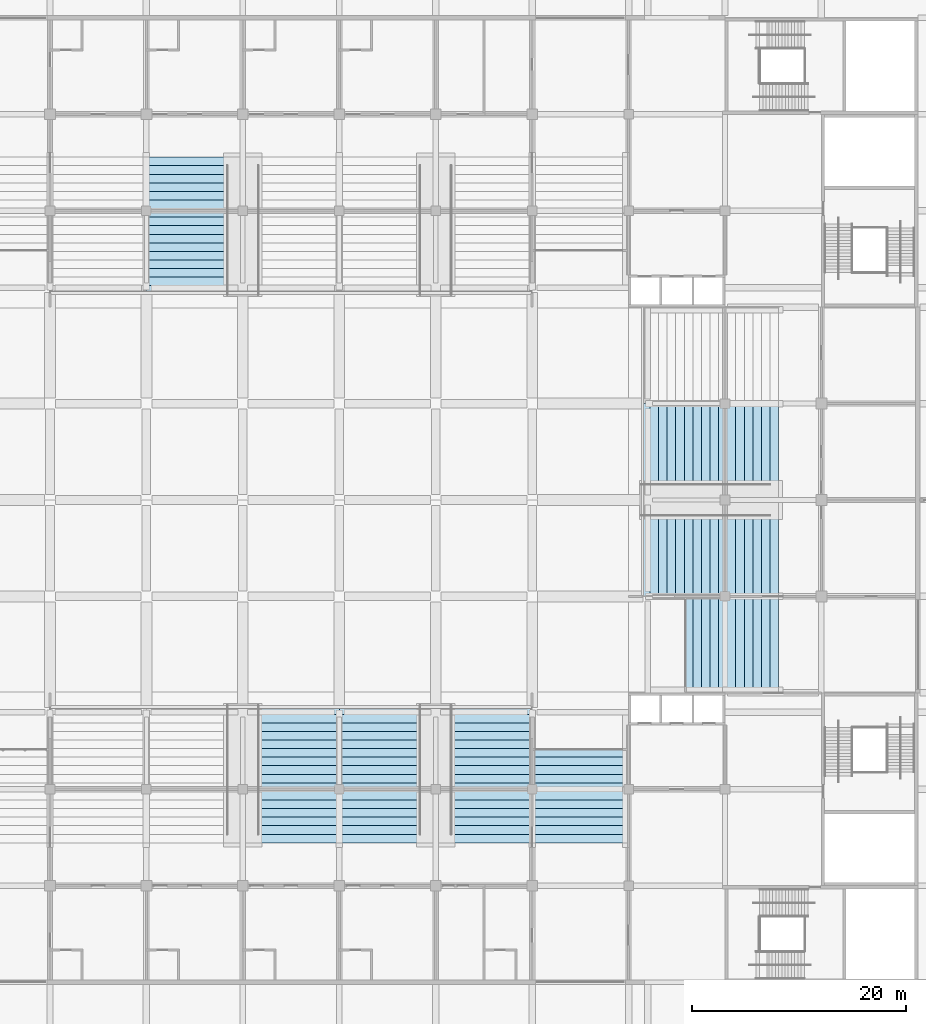
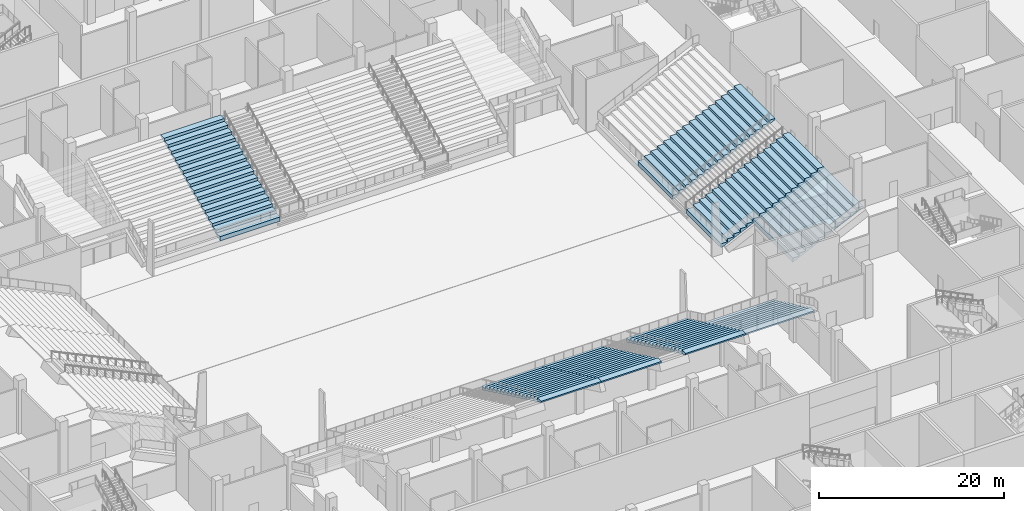
# One storey, part 49 of 92: 8 slabs.
"""IFC4 building model written with IfcOpenShell, lengths in metres."""

from ifc_helpers import new_model, si_unit, direction, origin, place, context, subcontext, project, spatial, faceted_brep, material, layer, layer_set, type_object, element, save


model = new_model("IFC4")

# Units and contexts
model_context = context("Model", 3, precision=1e-05, world=origin(), true_north=direction((0.0, 1.0)))
body_context = subcontext(model_context, "Body", "Model", "MODEL_VIEW")
ifc_project = project(units=[si_unit("LENGTHUNIT", "METRE"), si_unit("AREAUNIT", "SQUARE_METRE"), si_unit("VOLUMEUNIT", "CUBIC_METRE"), si_unit("PLANEANGLEUNIT", "RADIAN"), si_unit("MASSUNIT", "GRAM", prefix="KILO")], contexts=[model_context])

# Site, building, storey
site_placement = place(None, origin())
site = spatial("IfcSite", under=ifc_project, at=site_placement, CompositionType="ELEMENT")
building_placement = place(site_placement, origin())
building = spatial("IfcBuilding", under=site, at=building_placement, Name="Silverbay Arena", CompositionType="ELEMENT")
storey_placement = place(building_placement, origin())
storey = spatial("IfcBuildingStorey", under=building, at=storey_placement, Name="L00", CompositionType="ELEMENT", Elevation=0.0)

# Slabs
ifc_material = material(Name="Concrete Grade C45 precast", Category="concrete")
ifc_layer = layer(ifc_material, 0.56005859375)
ifc_layer_set = layer_set([ifc_layer], Name="Concrete Grade C45 precast")
slab_type = type_object("IfcSlabType", Name="Precast seating tier lower", PredefinedType="USERDEFINED", material=ifc_layer_set)
slab_1_placement = place(storey_placement, origin())
element("IfcSlab", 1, at=slab_1_placement, inside=storey, type_object=slab_type, Name="Stand South lower bay 4", ObjectType="SEATING TIER", PredefinedType="USERDEFINED", context=body_context, shape_type="Brep", body=[
    faceted_brep([(127.5, 61.800048828125, 0.739990234375), (127.5, 49.0, 6.820068359375), (127.5, 49.0, 7.0), (127.5, 49.800048828125, 7.0), (127.5, 49.800048828125, 6.6201171875), (127.5, 50.60009765625, 6.6201171875), (127.5, 50.60009765625, 6.239990234375), (127.5, 51.39990234375, 6.239990234375), (127.5, 51.39990234375, 5.860107421875), (127.5, 52.199951171875, 5.860107421875), (127.5, 52.199951171875, 5.47998046875), (127.5, 53.0, 5.47998046875), (127.5, 53.0, 5.10009765625), (127.5, 53.800048828125, 5.10009765625), (127.5, 53.800048828125, 4.719970703125), (127.5, 54.60009765625, 4.719970703125), (127.5, 54.60009765625, 4.340087890625), (127.5, 55.39990234375, 4.340087890625), (127.5, 55.39990234375, 3.9599609375), (127.5, 56.199951171875, 3.9599609375), (127.5, 56.199951171875, 3.580078125), (127.5, 57.0, 3.580078125), (127.5, 57.0, 3.199951171875), (127.5, 57.800048828125, 3.199951171875), (127.5, 57.800048828125, 2.820068359375), (127.5, 58.60009765625, 2.820068359375), (127.5, 58.60009765625, 2.43994140625), (127.5, 59.39990234375, 2.43994140625), (127.5, 59.39990234375, 2.06005859375), (127.5, 60.199951171875, 2.06005859375), (127.5, 60.199951171875, 1.679931640625), (127.5, 61.0, 1.679931640625), (127.5, 61.0, 1.300048828125), (127.5, 61.800048828125, 1.300048828125), (135.0, 61.800048828125, 1.300048828125), (135.0, 61.0, 1.300048828125), (135.0, 61.0, 1.679931640625), (135.0, 60.199951171875, 1.679931640625), (135.0, 60.199951171875, 2.06005859375), (135.0, 59.39990234375, 2.06005859375), (135.0, 59.39990234375, 2.43994140625), (135.0, 58.60009765625, 2.43994140625), (135.0, 58.60009765625, 2.820068359375), (135.0, 57.800048828125, 2.820068359375), (135.0, 57.800048828125, 3.199951171875), (135.0, 57.0, 3.199951171875), (135.0, 57.0, 3.580078125), (135.0, 56.199951171875, 3.580078125), (135.0, 56.199951171875, 3.9599609375), (135.0, 55.39990234375, 3.9599609375), (135.0, 55.39990234375, 4.340087890625), (135.0, 54.60009765625, 4.340087890625), (135.0, 54.60009765625, 4.719970703125), (135.0, 53.800048828125, 4.719970703125), (135.0, 53.800048828125, 5.10009765625), (135.0, 53.0, 5.10009765625), (135.0, 53.0, 5.47998046875), (135.0, 52.199951171875, 5.47998046875), (135.0, 52.199951171875, 5.860107421875), (135.0, 51.39990234375, 5.860107421875), (135.0, 51.39990234375, 6.239990234375), (135.0, 50.60009765625, 6.239990234375), (135.0, 50.60009765625, 6.6201171875), (135.0, 49.800048828125, 6.6201171875), (135.0, 49.800048828125, 7.0), (135.0, 49.0, 7.0), (135.0, 49.0, 6.820068359375), (135.0, 61.800048828125, 0.739990234375)], [[[0, 1, 2, 3, 4, 5, 6, 7, 8, 9, 10, 11, 12, 13, 14, 15, 16, 17, 18, 19, 20, 21, 22, 23, 24, 25, 26, 27, 28, 29, 30, 31, 32, 33]], [[34, 35, 36, 37, 38, 39, 40, 41, 42, 43, 44, 45, 46, 47, 48, 49, 50, 51, 52, 53, 54, 55, 56, 57, 58, 59, 60, 61, 62, 63, 64, 65, 66, 67]], [[33, 32, 35, 34]], [[32, 31, 36, 35]], [[31, 30, 37, 36]], [[30, 29, 38, 37]], [[29, 28, 39, 38]], [[28, 27, 40, 39]], [[27, 26, 41, 40]], [[26, 25, 42, 41]], [[25, 24, 43, 42]], [[24, 23, 44, 43]], [[23, 22, 45, 44]], [[22, 21, 46, 45]], [[21, 20, 47, 46]], [[20, 19, 48, 47]], [[19, 18, 49, 48]], [[18, 17, 50, 49]], [[17, 16, 51, 50]], [[16, 15, 52, 51]], [[15, 14, 53, 52]], [[14, 13, 54, 53]], [[13, 12, 55, 54]], [[12, 11, 56, 55]], [[11, 10, 57, 56]], [[10, 9, 58, 57]], [[9, 8, 59, 58]], [[8, 7, 60, 59]], [[7, 6, 61, 60]], [[6, 5, 62, 61]], [[5, 4, 63, 62]], [[4, 3, 64, 63]], [[3, 2, 65, 64]], [[2, 1, 66, 65]], [[1, 0, 67, 66]], [[0, 33, 34, 67]]]),
])
slab_2_placement = place(storey_placement, origin())
element("IfcSlab", 2, at=slab_2_placement, inside=storey, type_object=slab_type, Name="Stand South lower bay 5", ObjectType="SEATING TIER", PredefinedType="USERDEFINED", context=body_context, shape_type="Brep", body=[
    faceted_brep([(135.0, 61.800048828125, 0.739990234375), (135.0, 49.0, 6.820068359375), (135.0, 49.0, 7.0), (135.0, 49.800048828125, 7.0), (135.0, 49.800048828125, 6.6201171875), (135.0, 50.60009765625, 6.6201171875), (135.0, 50.60009765625, 6.239990234375), (135.0, 51.39990234375, 6.239990234375), (135.0, 51.39990234375, 5.860107421875), (135.0, 52.199951171875, 5.860107421875), (135.0, 52.199951171875, 5.47998046875), (135.0, 53.0, 5.47998046875), (135.0, 53.0, 5.10009765625), (135.0, 53.800048828125, 5.10009765625), (135.0, 53.800048828125, 4.719970703125), (135.0, 54.60009765625, 4.719970703125), (135.0, 54.60009765625, 4.340087890625), (135.0, 55.39990234375, 4.340087890625), (135.0, 55.39990234375, 3.9599609375), (135.0, 56.199951171875, 3.9599609375), (135.0, 56.199951171875, 3.580078125), (135.0, 57.0, 3.580078125), (135.0, 57.0, 3.199951171875), (135.0, 57.800048828125, 3.199951171875), (135.0, 57.800048828125, 2.820068359375), (135.0, 58.60009765625, 2.820068359375), (135.0, 58.60009765625, 2.43994140625), (135.0, 59.39990234375, 2.43994140625), (135.0, 59.39990234375, 2.06005859375), (135.0, 60.199951171875, 2.06005859375), (135.0, 60.199951171875, 1.679931640625), (135.0, 61.0, 1.679931640625), (135.0, 61.0, 1.300048828125), (135.0, 61.800048828125, 1.300048828125), (142.5, 61.800048828125, 1.300048828125), (142.5, 61.0, 1.300048828125), (142.5, 61.0, 1.679931640625), (142.5, 60.199951171875, 1.679931640625), (142.5, 60.199951171875, 2.06005859375), (142.5, 59.39990234375, 2.06005859375), (142.5, 59.39990234375, 2.43994140625), (142.5, 58.60009765625, 2.43994140625), (142.5, 58.60009765625, 2.820068359375), (142.5, 57.800048828125, 2.820068359375), (142.5, 57.800048828125, 3.199951171875), (142.5, 57.0, 3.199951171875), (142.5, 57.0, 3.580078125), (142.5, 56.199951171875, 3.580078125), (142.5, 56.199951171875, 3.9599609375), (142.5, 55.39990234375, 3.9599609375), (142.5, 55.39990234375, 4.340087890625), (142.5, 54.60009765625, 4.340087890625), (142.5, 54.60009765625, 4.719970703125), (142.5, 53.800048828125, 4.719970703125), (142.5, 53.800048828125, 5.10009765625), (142.5, 53.0, 5.10009765625), (142.5, 53.0, 5.47998046875), (142.5, 52.199951171875, 5.47998046875), (142.5, 52.199951171875, 5.860107421875), (142.5, 51.39990234375, 5.860107421875), (142.5, 51.39990234375, 6.239990234375), (142.5, 50.60009765625, 6.239990234375), (142.5, 50.60009765625, 6.6201171875), (142.5, 49.800048828125, 6.6201171875), (142.5, 49.800048828125, 7.0), (142.5, 49.0, 7.0), (142.5, 49.0, 6.820068359375), (142.5, 61.800048828125, 0.739990234375)], [[[0, 1, 2, 3, 4, 5, 6, 7, 8, 9, 10, 11, 12, 13, 14, 15, 16, 17, 18, 19, 20, 21, 22, 23, 24, 25, 26, 27, 28, 29, 30, 31, 32, 33]], [[34, 35, 36, 37, 38, 39, 40, 41, 42, 43, 44, 45, 46, 47, 48, 49, 50, 51, 52, 53, 54, 55, 56, 57, 58, 59, 60, 61, 62, 63, 64, 65, 66, 67]], [[33, 32, 35, 34]], [[32, 31, 36, 35]], [[31, 30, 37, 36]], [[30, 29, 38, 37]], [[29, 28, 39, 38]], [[28, 27, 40, 39]], [[27, 26, 41, 40]], [[26, 25, 42, 41]], [[25, 24, 43, 42]], [[24, 23, 44, 43]], [[23, 22, 45, 44]], [[22, 21, 46, 45]], [[21, 20, 47, 46]], [[20, 19, 48, 47]], [[19, 18, 49, 48]], [[18, 17, 50, 49]], [[17, 16, 51, 50]], [[16, 15, 52, 51]], [[15, 14, 53, 52]], [[14, 13, 54, 53]], [[13, 12, 55, 54]], [[12, 11, 56, 55]], [[11, 10, 57, 56]], [[10, 9, 58, 57]], [[9, 8, 59, 58]], [[8, 7, 60, 59]], [[7, 6, 61, 60]], [[6, 5, 62, 61]], [[5, 4, 63, 62]], [[4, 3, 64, 63]], [[3, 2, 65, 64]], [[2, 1, 66, 65]], [[1, 0, 67, 66]], [[0, 33, 34, 67]]]),
])
slab_3_placement = place(storey_placement, origin())
element("IfcSlab", 3, at=slab_3_placement, inside=storey, type_object=slab_type, Name="Stand South lower bay 6", ObjectType="SEATING TIER", PredefinedType="USERDEFINED", context=body_context, shape_type="Brep", body=[
    faceted_brep([(145.5, 61.800048828125, 0.739990234375), (145.5, 49.0, 6.820068359375), (145.5, 49.0, 7.0), (145.5, 49.800048828125, 7.0), (145.5, 49.800048828125, 6.6201171875), (145.5, 50.60009765625, 6.6201171875), (145.5, 50.60009765625, 6.239990234375), (145.5, 51.39990234375, 6.239990234375), (145.5, 51.39990234375, 5.860107421875), (145.5, 52.199951171875, 5.860107421875), (145.5, 52.199951171875, 5.47998046875), (145.5, 53.0, 5.47998046875), (145.5, 53.0, 5.10009765625), (145.5, 53.800048828125, 5.10009765625), (145.5, 53.800048828125, 4.719970703125), (145.5, 54.60009765625, 4.719970703125), (145.5, 54.60009765625, 4.340087890625), (145.5, 55.39990234375, 4.340087890625), (145.5, 55.39990234375, 3.9599609375), (145.5, 56.199951171875, 3.9599609375), (145.5, 56.199951171875, 3.580078125), (145.5, 57.0, 3.580078125), (145.5, 57.0, 3.199951171875), (145.5, 57.800048828125, 3.199951171875), (145.5, 57.800048828125, 2.820068359375), (145.5, 58.60009765625, 2.820068359375), (145.5, 58.60009765625, 2.43994140625), (145.5, 59.39990234375, 2.43994140625), (145.5, 59.39990234375, 2.06005859375), (145.5, 60.199951171875, 2.06005859375), (145.5, 60.199951171875, 1.679931640625), (145.5, 61.0, 1.679931640625), (145.5, 61.0, 1.300048828125), (145.5, 61.800048828125, 1.300048828125), (153.0, 61.800048828125, 1.300048828125), (153.0, 61.0, 1.300048828125), (153.0, 61.0, 1.679931640625), (153.0, 60.199951171875, 1.679931640625), (153.0, 60.199951171875, 2.06005859375), (153.0, 59.39990234375, 2.06005859375), (153.0, 59.39990234375, 2.43994140625), (153.0, 58.60009765625, 2.43994140625), (153.0, 58.60009765625, 2.820068359375), (153.0, 57.800048828125, 2.820068359375), (153.0, 57.800048828125, 3.199951171875), (153.0, 57.0, 3.199951171875), (153.0, 57.0, 3.580078125), (153.0, 56.199951171875, 3.580078125), (153.0, 56.199951171875, 3.9599609375), (153.0, 55.39990234375, 3.9599609375), (153.0, 55.39990234375, 4.340087890625), (153.0, 54.60009765625, 4.340087890625), (153.0, 54.60009765625, 4.719970703125), (153.0, 53.800048828125, 4.719970703125), (153.0, 53.800048828125, 5.10009765625), (153.0, 53.0, 5.10009765625), (153.0, 53.0, 5.47998046875), (153.0, 52.199951171875, 5.47998046875), (153.0, 52.199951171875, 5.860107421875), (153.0, 51.39990234375, 5.860107421875), (153.0, 51.39990234375, 6.239990234375), (153.0, 50.60009765625, 6.239990234375), (153.0, 50.60009765625, 6.6201171875), (153.0, 49.800048828125, 6.6201171875), (153.0, 49.800048828125, 7.0), (153.0, 49.0, 7.0), (153.0, 49.0, 6.820068359375), (153.0, 61.800048828125, 0.739990234375)], [[[0, 1, 2, 3, 4, 5, 6, 7, 8, 9, 10, 11, 12, 13, 14, 15, 16, 17, 18, 19, 20, 21, 22, 23, 24, 25, 26, 27, 28, 29, 30, 31, 32, 33]], [[34, 35, 36, 37, 38, 39, 40, 41, 42, 43, 44, 45, 46, 47, 48, 49, 50, 51, 52, 53, 54, 55, 56, 57, 58, 59, 60, 61, 62, 63, 64, 65, 66, 67]], [[33, 32, 35, 34]], [[32, 31, 36, 35]], [[31, 30, 37, 36]], [[30, 29, 38, 37]], [[29, 28, 39, 38]], [[28, 27, 40, 39]], [[27, 26, 41, 40]], [[26, 25, 42, 41]], [[25, 24, 43, 42]], [[24, 23, 44, 43]], [[23, 22, 45, 44]], [[22, 21, 46, 45]], [[21, 20, 47, 46]], [[20, 19, 48, 47]], [[19, 18, 49, 48]], [[18, 17, 50, 49]], [[17, 16, 51, 50]], [[16, 15, 52, 51]], [[15, 14, 53, 52]], [[14, 13, 54, 53]], [[13, 12, 55, 54]], [[12, 11, 56, 55]], [[11, 10, 57, 56]], [[10, 9, 58, 57]], [[9, 8, 59, 58]], [[8, 7, 60, 59]], [[7, 6, 61, 60]], [[6, 5, 62, 61]], [[5, 4, 63, 62]], [[4, 3, 64, 63]], [[3, 2, 65, 64]], [[2, 1, 66, 65]], [[1, 0, 67, 66]], [[0, 33, 34, 67]]]),
])
slab_4_placement = place(storey_placement, origin())
element("IfcSlab", 4, at=slab_4_placement, inside=storey, type_object=slab_type, Name="Stand South lower bay 7", ObjectType="SEATING TIER", PredefinedType="USERDEFINED", context=body_context, shape_type="Brep", body=[
    faceted_brep([(153.0, 57.800048828125, 2.639892578125), (153.0, 49.0, 6.820068359375), (153.0, 49.0, 7.0), (153.0, 49.800048828125, 7.0), (153.0, 49.800048828125, 6.6201171875), (153.0, 50.60009765625, 6.6201171875), (153.0, 50.60009765625, 6.239990234375), (153.0, 51.39990234375, 6.239990234375), (153.0, 51.39990234375, 5.860107421875), (153.0, 52.199951171875, 5.860107421875), (153.0, 52.199951171875, 5.47998046875), (153.0, 53.0, 5.47998046875), (153.0, 53.0, 5.10009765625), (153.0, 53.800048828125, 5.10009765625), (153.0, 53.800048828125, 4.719970703125), (153.0, 54.60009765625, 4.719970703125), (153.0, 54.60009765625, 4.340087890625), (153.0, 55.39990234375, 4.340087890625), (153.0, 55.39990234375, 3.9599609375), (153.0, 56.199951171875, 3.9599609375), (153.0, 56.199951171875, 3.580078125), (153.0, 57.0, 3.580078125), (153.0, 57.0, 3.199951171875), (153.0, 57.800048828125, 3.199951171875), (161.550048828125, 57.800048828125, 3.199951171875), (161.550048828125, 57.0, 3.199951171875), (161.550048828125, 57.0, 3.580078125), (161.550048828125, 56.199951171875, 3.580078125), (161.550048828125, 56.199951171875, 3.9599609375), (161.550048828125, 55.39990234375, 3.9599609375), (161.550048828125, 55.39990234375, 4.340087890625), (161.550048828125, 54.60009765625, 4.340087890625), (161.550048828125, 54.60009765625, 4.719970703125), (161.550048828125, 53.800048828125, 4.719970703125), (161.550048828125, 53.800048828125, 5.10009765625), (161.550048828125, 53.0, 5.10009765625), (161.550048828125, 53.0, 5.47998046875), (161.550048828125, 52.199951171875, 5.47998046875), (161.550048828125, 52.199951171875, 5.860107421875), (161.550048828125, 51.39990234375, 5.860107421875), (161.550048828125, 51.39990234375, 6.239990234375), (161.550048828125, 50.60009765625, 6.239990234375), (161.550048828125, 50.60009765625, 6.6201171875), (161.550048828125, 49.800048828125, 6.6201171875), (161.550048828125, 49.800048828125, 7.0), (161.550048828125, 49.0, 7.0), (161.550048828125, 49.0, 6.820068359375), (161.550048828125, 57.800048828125, 2.639892578125)], [[[0, 1, 2, 3, 4, 5, 6, 7, 8, 9, 10, 11, 12, 13, 14, 15, 16, 17, 18, 19, 20, 21, 22, 23]], [[24, 25, 26, 27, 28, 29, 30, 31, 32, 33, 34, 35, 36, 37, 38, 39, 40, 41, 42, 43, 44, 45, 46, 47]], [[23, 22, 25, 24]], [[22, 21, 26, 25]], [[21, 20, 27, 26]], [[20, 19, 28, 27]], [[19, 18, 29, 28]], [[18, 17, 30, 29]], [[17, 16, 31, 30]], [[16, 15, 32, 31]], [[15, 14, 33, 32]], [[14, 13, 34, 33]], [[13, 12, 35, 34]], [[12, 11, 36, 35]], [[11, 10, 37, 36]], [[10, 9, 38, 37]], [[9, 8, 39, 38]], [[8, 7, 40, 39]], [[7, 6, 41, 40]], [[6, 5, 42, 41]], [[5, 4, 43, 42]], [[4, 3, 44, 43]], [[3, 2, 45, 44]], [[2, 1, 46, 45]], [[1, 0, 47, 46]], [[0, 23, 24, 47]]]),
])
slab_5_placement = place(storey_placement, origin())
element("IfcSlab", 5, at=slab_5_placement, inside=storey, type_object=slab_type, Name="Stand North lower bay 3", ObjectType="SEATING TIER", PredefinedType="USERDEFINED", context=body_context, shape_type="Brep", body=[
    faceted_brep([(117.0, 100.199951171875, 1.300048828125), (117.0, 101.0, 1.300048828125), (117.0, 101.0, 1.679931640625), (117.0, 101.800048828125, 1.679931640625), (117.0, 101.800048828125, 2.06005859375), (117.0, 102.60009765625, 2.06005859375), (117.0, 102.60009765625, 2.43994140625), (117.0, 103.39990234375, 2.43994140625), (117.0, 103.39990234375, 2.820068359375), (117.0, 104.199951171875, 2.820068359375), (117.0, 104.199951171875, 3.199951171875), (117.0, 105.0, 3.199951171875), (117.0, 105.0, 3.580078125), (117.0, 105.800048828125, 3.580078125), (117.0, 105.800048828125, 3.9599609375), (117.0, 106.60009765625, 3.9599609375), (117.0, 106.60009765625, 4.340087890625), (117.0, 107.39990234375, 4.340087890625), (117.0, 107.39990234375, 4.719970703125), (117.0, 108.199951171875, 4.719970703125), (117.0, 108.199951171875, 5.10009765625), (117.0, 109.0, 5.10009765625), (117.0, 109.0, 5.47998046875), (117.0, 109.800048828125, 5.47998046875), (117.0, 109.800048828125, 5.860107421875), (117.0, 110.60009765625, 5.860107421875), (117.0, 110.60009765625, 6.239990234375), (117.0, 111.39990234375, 6.239990234375), (117.0, 111.39990234375, 6.6201171875), (117.0, 112.199951171875, 6.6201171875), (117.0, 112.199951171875, 7.0), (117.0, 113.0, 7.0), (117.0, 113.0, 6.820068359375), (117.0, 100.199951171875, 0.739990234375), (124.5, 100.199951171875, 0.739990234375), (124.5, 113.0, 6.820068359375), (124.5, 113.0, 7.0), (124.5, 112.199951171875, 7.0), (124.5, 112.199951171875, 6.6201171875), (124.5, 111.39990234375, 6.6201171875), (124.5, 111.39990234375, 6.239990234375), (124.5, 110.60009765625, 6.239990234375), (124.5, 110.60009765625, 5.860107421875), (124.5, 109.800048828125, 5.860107421875), (124.5, 109.800048828125, 5.47998046875), (124.5, 109.0, 5.47998046875), (124.5, 109.0, 5.10009765625), (124.5, 108.199951171875, 5.10009765625), (124.5, 108.199951171875, 4.719970703125), (124.5, 107.39990234375, 4.719970703125), (124.5, 107.39990234375, 4.340087890625), (124.5, 106.60009765625, 4.340087890625), (124.5, 106.60009765625, 3.9599609375), (124.5, 105.800048828125, 3.9599609375), (124.5, 105.800048828125, 3.580078125), (124.5, 105.0, 3.580078125), (124.5, 105.0, 3.199951171875), (124.5, 104.199951171875, 3.199951171875), (124.5, 104.199951171875, 2.820068359375), (124.5, 103.39990234375, 2.820068359375), (124.5, 103.39990234375, 2.43994140625), (124.5, 102.60009765625, 2.43994140625), (124.5, 102.60009765625, 2.06005859375), (124.5, 101.800048828125, 2.06005859375), (124.5, 101.800048828125, 1.679931640625), (124.5, 101.0, 1.679931640625), (124.5, 101.0, 1.300048828125), (124.5, 100.199951171875, 1.300048828125)], [[[0, 1, 2, 3, 4, 5, 6, 7, 8, 9, 10, 11, 12, 13, 14, 15, 16, 17, 18, 19, 20, 21, 22, 23, 24, 25, 26, 27, 28, 29, 30, 31, 32, 33]], [[34, 35, 36, 37, 38, 39, 40, 41, 42, 43, 44, 45, 46, 47, 48, 49, 50, 51, 52, 53, 54, 55, 56, 57, 58, 59, 60, 61, 62, 63, 64, 65, 66, 67]], [[67, 66, 1, 0]], [[66, 65, 2, 1]], [[65, 64, 3, 2]], [[64, 63, 4, 3]], [[63, 62, 5, 4]], [[62, 61, 6, 5]], [[61, 60, 7, 6]], [[60, 59, 8, 7]], [[59, 58, 9, 8]], [[58, 57, 10, 9]], [[57, 56, 11, 10]], [[56, 55, 12, 11]], [[55, 54, 13, 12]], [[54, 53, 14, 13]], [[53, 52, 15, 14]], [[52, 51, 16, 15]], [[51, 50, 17, 16]], [[50, 49, 18, 17]], [[49, 48, 19, 18]], [[48, 47, 20, 19]], [[47, 46, 21, 20]], [[46, 45, 22, 21]], [[45, 44, 23, 22]], [[44, 43, 24, 23]], [[43, 42, 25, 24]], [[42, 41, 26, 25]], [[41, 40, 27, 26]], [[40, 39, 28, 27]], [[39, 38, 29, 28]], [[38, 37, 30, 29]], [[37, 36, 31, 30]], [[36, 35, 32, 31]], [[35, 34, 33, 32]], [[34, 67, 0, 33]]]),
])
slab_6_placement = place(storey_placement, origin())
element("IfcSlab", 6, at=slab_6_placement, inside=storey, type_object=slab_type, Name="Stand East lower bay 1", ObjectType="SEATING TIER", PredefinedType="USERDEFINED", context=body_context, shape_type="Brep", body=[
    faceted_brep([(167.199951171875, 63.449951171875, 2.639892578125), (176.0, 63.449951171875, 6.820068359375), (176.0, 63.449951171875, 7.0), (175.199951171875, 63.449951171875, 7.0), (175.199951171875, 63.449951171875, 6.6201171875), (174.39990234375, 63.449951171875, 6.6201171875), (174.39990234375, 63.449951171875, 6.239990234375), (173.60009765625, 63.449951171875, 6.239990234375), (173.60009765625, 63.449951171875, 5.860107421875), (172.800048828125, 63.449951171875, 5.860107421875), (172.800048828125, 63.449951171875, 5.47998046875), (172.0, 63.449951171875, 5.47998046875), (172.0, 63.449951171875, 5.10009765625), (171.199951171875, 63.449951171875, 5.10009765625), (171.199951171875, 63.449951171875, 4.719970703125), (170.39990234375, 63.449951171875, 4.719970703125), (170.39990234375, 63.449951171875, 4.340087890625), (169.60009765625, 63.449951171875, 4.340087890625), (169.60009765625, 63.449951171875, 3.9599609375), (168.800048828125, 63.449951171875, 3.9599609375), (168.800048828125, 63.449951171875, 3.580078125), (168.0, 63.449951171875, 3.580078125), (168.0, 63.449951171875, 3.199951171875), (167.199951171875, 63.449951171875, 3.199951171875), (167.199951171875, 72.0, 3.199951171875), (168.0, 72.0, 3.199951171875), (168.0, 72.0, 3.580078125), (168.800048828125, 72.0, 3.580078125), (168.800048828125, 72.0, 3.9599609375), (169.60009765625, 72.0, 3.9599609375), (169.60009765625, 72.0, 4.340087890625), (170.39990234375, 72.0, 4.340087890625), (170.39990234375, 72.0, 4.719970703125), (171.199951171875, 72.0, 4.719970703125), (171.199951171875, 72.0, 5.10009765625), (172.0, 72.0, 5.10009765625), (172.0, 72.0, 5.47998046875), (172.800048828125, 72.0, 5.47998046875), (172.800048828125, 72.0, 5.860107421875), (173.60009765625, 72.0, 5.860107421875), (173.60009765625, 72.0, 6.239990234375), (174.39990234375, 72.0, 6.239990234375), (174.39990234375, 72.0, 6.6201171875), (175.199951171875, 72.0, 6.6201171875), (175.199951171875, 72.0, 7.0), (176.0, 72.0, 7.0), (176.0, 72.0, 6.820068359375), (167.199951171875, 72.0, 2.639892578125)], [[[0, 1, 2, 3, 4, 5, 6, 7, 8, 9, 10, 11, 12, 13, 14, 15, 16, 17, 18, 19, 20, 21, 22, 23]], [[24, 25, 26, 27, 28, 29, 30, 31, 32, 33, 34, 35, 36, 37, 38, 39, 40, 41, 42, 43, 44, 45, 46, 47]], [[23, 22, 25, 24]], [[22, 21, 26, 25]], [[21, 20, 27, 26]], [[20, 19, 28, 27]], [[19, 18, 29, 28]], [[18, 17, 30, 29]], [[17, 16, 31, 30]], [[16, 15, 32, 31]], [[15, 14, 33, 32]], [[14, 13, 34, 33]], [[13, 12, 35, 34]], [[12, 11, 36, 35]], [[11, 10, 37, 36]], [[10, 9, 38, 37]], [[9, 8, 39, 38]], [[8, 7, 40, 39]], [[7, 6, 41, 40]], [[6, 5, 42, 41]], [[5, 4, 43, 42]], [[4, 3, 44, 43]], [[3, 2, 45, 44]], [[2, 1, 46, 45]], [[1, 0, 47, 46]], [[0, 23, 24, 47]]]),
])
slab_7_placement = place(storey_placement, origin())
element("IfcSlab", 7, at=slab_7_placement, inside=storey, type_object=slab_type, Name="Stand East lower bay 2", ObjectType="SEATING TIER", PredefinedType="USERDEFINED", context=body_context, shape_type="Brep", body=[
    faceted_brep([(163.199951171875, 72.0, 0.739990234375), (176.0, 72.0, 6.820068359375), (176.0, 72.0, 7.0), (175.199951171875, 72.0, 7.0), (175.199951171875, 72.0, 6.6201171875), (174.39990234375, 72.0, 6.6201171875), (174.39990234375, 72.0, 6.239990234375), (173.60009765625, 72.0, 6.239990234375), (173.60009765625, 72.0, 5.860107421875), (172.800048828125, 72.0, 5.860107421875), (172.800048828125, 72.0, 5.47998046875), (172.0, 72.0, 5.47998046875), (172.0, 72.0, 5.10009765625), (171.199951171875, 72.0, 5.10009765625), (171.199951171875, 72.0, 4.719970703125), (170.39990234375, 72.0, 4.719970703125), (170.39990234375, 72.0, 4.340087890625), (169.60009765625, 72.0, 4.340087890625), (169.60009765625, 72.0, 3.9599609375), (168.800048828125, 72.0, 3.9599609375), (168.800048828125, 72.0, 3.580078125), (168.0, 72.0, 3.580078125), (168.0, 72.0, 3.199951171875), (167.199951171875, 72.0, 3.199951171875), (167.199951171875, 72.0, 2.820068359375), (166.39990234375, 72.0, 2.820068359375), (166.39990234375, 72.0, 2.43994140625), (165.60009765625, 72.0, 2.43994140625), (165.60009765625, 72.0, 2.06005859375), (164.800048828125, 72.0, 2.06005859375), (164.800048828125, 72.0, 1.679931640625), (164.0, 72.0, 1.679931640625), (164.0, 72.0, 1.300048828125), (163.199951171875, 72.0, 1.300048828125), (163.199951171875, 79.5, 1.300048828125), (164.0, 79.5, 1.300048828125), (164.0, 79.5, 1.679931640625), (164.800048828125, 79.5, 1.679931640625), (164.800048828125, 79.5, 2.06005859375), (165.60009765625, 79.5, 2.06005859375), (165.60009765625, 79.5, 2.43994140625), (166.39990234375, 79.5, 2.43994140625), (166.39990234375, 79.5, 2.820068359375), (167.199951171875, 79.5, 2.820068359375), (167.199951171875, 79.5, 3.199951171875), (168.0, 79.5, 3.199951171875), (168.0, 79.5, 3.580078125), (168.800048828125, 79.5, 3.580078125), (168.800048828125, 79.5, 3.9599609375), (169.60009765625, 79.5, 3.9599609375), (169.60009765625, 79.5, 4.340087890625), (170.39990234375, 79.5, 4.340087890625), (170.39990234375, 79.5, 4.719970703125), (171.199951171875, 79.5, 4.719970703125), (171.199951171875, 79.5, 5.10009765625), (172.0, 79.5, 5.10009765625), (172.0, 79.5, 5.47998046875), (172.800048828125, 79.5, 5.47998046875), (172.800048828125, 79.5, 5.860107421875), (173.60009765625, 79.5, 5.860107421875), (173.60009765625, 79.5, 6.239990234375), (174.39990234375, 79.5, 6.239990234375), (174.39990234375, 79.5, 6.6201171875), (175.199951171875, 79.5, 6.6201171875), (175.199951171875, 79.5, 7.0), (176.0, 79.5, 7.0), (176.0, 79.5, 6.820068359375), (163.199951171875, 79.5, 0.739990234375)], [[[0, 1, 2, 3, 4, 5, 6, 7, 8, 9, 10, 11, 12, 13, 14, 15, 16, 17, 18, 19, 20, 21, 22, 23, 24, 25, 26, 27, 28, 29, 30, 31, 32, 33]], [[34, 35, 36, 37, 38, 39, 40, 41, 42, 43, 44, 45, 46, 47, 48, 49, 50, 51, 52, 53, 54, 55, 56, 57, 58, 59, 60, 61, 62, 63, 64, 65, 66, 67]], [[33, 32, 35, 34]], [[32, 31, 36, 35]], [[31, 30, 37, 36]], [[30, 29, 38, 37]], [[29, 28, 39, 38]], [[28, 27, 40, 39]], [[27, 26, 41, 40]], [[26, 25, 42, 41]], [[25, 24, 43, 42]], [[24, 23, 44, 43]], [[23, 22, 45, 44]], [[22, 21, 46, 45]], [[21, 20, 47, 46]], [[20, 19, 48, 47]], [[19, 18, 49, 48]], [[18, 17, 50, 49]], [[17, 16, 51, 50]], [[16, 15, 52, 51]], [[15, 14, 53, 52]], [[14, 13, 54, 53]], [[13, 12, 55, 54]], [[12, 11, 56, 55]], [[11, 10, 57, 56]], [[10, 9, 58, 57]], [[9, 8, 59, 58]], [[8, 7, 60, 59]], [[7, 6, 61, 60]], [[6, 5, 62, 61]], [[5, 4, 63, 62]], [[4, 3, 64, 63]], [[3, 2, 65, 64]], [[2, 1, 66, 65]], [[1, 0, 67, 66]], [[0, 33, 34, 67]]]),
])
slab_8_placement = place(storey_placement, origin())
element("IfcSlab", 8, at=slab_8_placement, inside=storey, type_object=slab_type, Name="Stand East lower bay 3", ObjectType="SEATING TIER", PredefinedType="USERDEFINED", context=body_context, shape_type="Brep", body=[
    faceted_brep([(163.199951171875, 82.5, 0.739990234375), (176.0, 82.5, 6.820068359375), (176.0, 82.5, 7.0), (175.199951171875, 82.5, 7.0), (175.199951171875, 82.5, 6.6201171875), (174.39990234375, 82.5, 6.6201171875), (174.39990234375, 82.5, 6.239990234375), (173.60009765625, 82.5, 6.239990234375), (173.60009765625, 82.5, 5.860107421875), (172.800048828125, 82.5, 5.860107421875), (172.800048828125, 82.5, 5.47998046875), (172.0, 82.5, 5.47998046875), (172.0, 82.5, 5.10009765625), (171.199951171875, 82.5, 5.10009765625), (171.199951171875, 82.5, 4.719970703125), (170.39990234375, 82.5, 4.719970703125), (170.39990234375, 82.5, 4.340087890625), (169.60009765625, 82.5, 4.340087890625), (169.60009765625, 82.5, 3.9599609375), (168.800048828125, 82.5, 3.9599609375), (168.800048828125, 82.5, 3.580078125), (168.0, 82.5, 3.580078125), (168.0, 82.5, 3.199951171875), (167.199951171875, 82.5, 3.199951171875), (167.199951171875, 82.5, 2.820068359375), (166.39990234375, 82.5, 2.820068359375), (166.39990234375, 82.5, 2.43994140625), (165.60009765625, 82.5, 2.43994140625), (165.60009765625, 82.5, 2.06005859375), (164.800048828125, 82.5, 2.06005859375), (164.800048828125, 82.5, 1.679931640625), (164.0, 82.5, 1.679931640625), (164.0, 82.5, 1.300048828125), (163.199951171875, 82.5, 1.300048828125), (163.199951171875, 90.0, 1.300048828125), (164.0, 90.0, 1.300048828125), (164.0, 90.0, 1.679931640625), (164.800048828125, 90.0, 1.679931640625), (164.800048828125, 90.0, 2.06005859375), (165.60009765625, 90.0, 2.06005859375), (165.60009765625, 90.0, 2.43994140625), (166.39990234375, 90.0, 2.43994140625), (166.39990234375, 90.0, 2.820068359375), (167.199951171875, 90.0, 2.820068359375), (167.199951171875, 90.0, 3.199951171875), (168.0, 90.0, 3.199951171875), (168.0, 90.0, 3.580078125), (168.800048828125, 90.0, 3.580078125), (168.800048828125, 90.0, 3.9599609375), (169.60009765625, 90.0, 3.9599609375), (169.60009765625, 90.0, 4.340087890625), (170.39990234375, 90.0, 4.340087890625), (170.39990234375, 90.0, 4.719970703125), (171.199951171875, 90.0, 4.719970703125), (171.199951171875, 90.0, 5.10009765625), (172.0, 90.0, 5.10009765625), (172.0, 90.0, 5.47998046875), (172.800048828125, 90.0, 5.47998046875), (172.800048828125, 90.0, 5.860107421875), (173.60009765625, 90.0, 5.860107421875), (173.60009765625, 90.0, 6.239990234375), (174.39990234375, 90.0, 6.239990234375), (174.39990234375, 90.0, 6.6201171875), (175.199951171875, 90.0, 6.6201171875), (175.199951171875, 90.0, 7.0), (176.0, 90.0, 7.0), (176.0, 90.0, 6.820068359375), (163.199951171875, 90.0, 0.739990234375)], [[[0, 1, 2, 3, 4, 5, 6, 7, 8, 9, 10, 11, 12, 13, 14, 15, 16, 17, 18, 19, 20, 21, 22, 23, 24, 25, 26, 27, 28, 29, 30, 31, 32, 33]], [[34, 35, 36, 37, 38, 39, 40, 41, 42, 43, 44, 45, 46, 47, 48, 49, 50, 51, 52, 53, 54, 55, 56, 57, 58, 59, 60, 61, 62, 63, 64, 65, 66, 67]], [[33, 32, 35, 34]], [[32, 31, 36, 35]], [[31, 30, 37, 36]], [[30, 29, 38, 37]], [[29, 28, 39, 38]], [[28, 27, 40, 39]], [[27, 26, 41, 40]], [[26, 25, 42, 41]], [[25, 24, 43, 42]], [[24, 23, 44, 43]], [[23, 22, 45, 44]], [[22, 21, 46, 45]], [[21, 20, 47, 46]], [[20, 19, 48, 47]], [[19, 18, 49, 48]], [[18, 17, 50, 49]], [[17, 16, 51, 50]], [[16, 15, 52, 51]], [[15, 14, 53, 52]], [[14, 13, 54, 53]], [[13, 12, 55, 54]], [[12, 11, 56, 55]], [[11, 10, 57, 56]], [[10, 9, 58, 57]], [[9, 8, 59, 58]], [[8, 7, 60, 59]], [[7, 6, 61, 60]], [[6, 5, 62, 61]], [[5, 4, 63, 62]], [[4, 3, 64, 63]], [[3, 2, 65, 64]], [[2, 1, 66, 65]], [[1, 0, 67, 66]], [[0, 33, 34, 67]]]),
])

save(model, "model.ifc")
